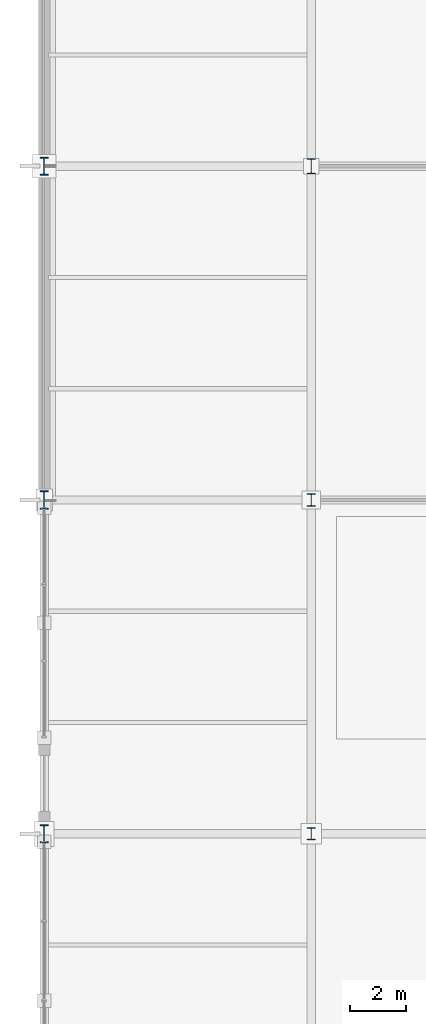
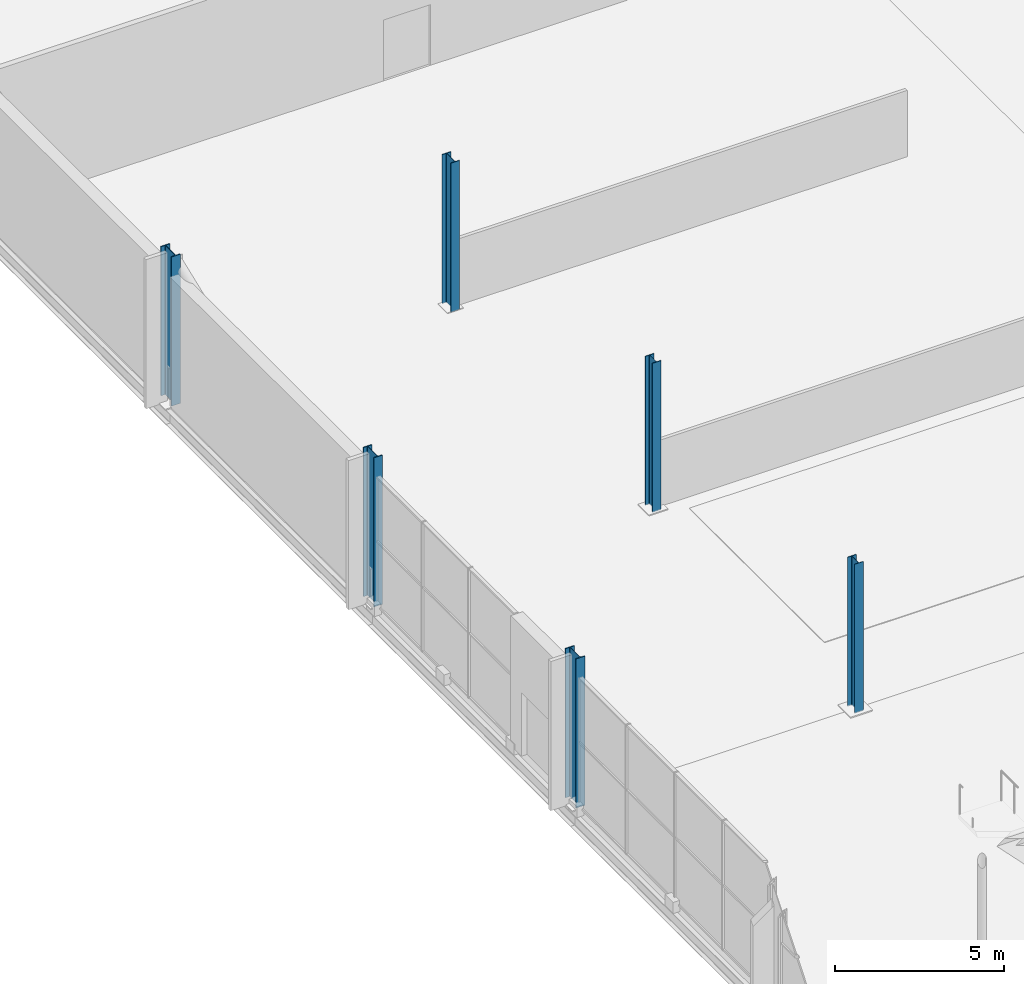
# One storey, part 9 of 196: 6 columns.
"""IFC4 building model written with IfcOpenShell, lengths in metres."""

from ifc_helpers import new_model, si_unit, direction, frame, origin, origin_2d, place, context, subcontext, project, spatial, i_section, extrude, material, material_profile, profile_set, type_object, element, save


model = new_model("IFC4")

# Units and contexts
model_context = context("Model", 3, precision=1e-05, world=origin(), true_north=direction((0.0, 1.0)))
body_context = subcontext(model_context, "Body", "Model", "MODEL_VIEW")
ifc_project = project(units=[si_unit("LENGTHUNIT", "METRE"), si_unit("AREAUNIT", "SQUARE_METRE"), si_unit("VOLUMEUNIT", "CUBIC_METRE"), si_unit("PLANEANGLEUNIT", "RADIAN"), si_unit("MASSUNIT", "GRAM", prefix="KILO")], contexts=[model_context])

# Site, building, storey
site_placement = place(None, origin())
site = spatial("IfcSite", under=ifc_project, at=site_placement, CompositionType="ELEMENT")
building_placement = place(site_placement, origin())
building = spatial("IfcBuilding", under=site, at=building_placement, Name="Merenkruunu Market Hall", CompositionType="ELEMENT")
storey_placement = place(building_placement, origin())
storey = spatial("IfcBuildingStorey", under=building, at=storey_placement, Name="L00", CompositionType="ELEMENT", Elevation=0.0)

# Columns
ifc_material_1 = material(Name="Steel S355ML", Category="steel")
ifc_material_profile_1 = material_profile(ifc_material_1, i_section(OverallWidth=0.300048828125, OverallDepth=0.64990234375, WebThickness=0.01611328125, FlangeThickness=0.031005859375, FilletRadius=0.027099609375, at=origin_2d()), Name="HEB 650")
ifc_profile_set_1 = profile_set([ifc_material_profile_1], Name="Steel S355ML")
column_type_1 = type_object("IfcColumnType", Name="Structural Column C01", PredefinedType="COLUMN", material=ifc_profile_set_1)
for number, where, z_axis, x_axis, name in (
    (1, (0.0, 63.60009765625, 0.0), (0.0, 0.0, 1.0), (1.0, 0.0, 0.0), "COL-L00-A-08"),
    (2, (0.0, 75.60009765625, 0.0), (0.0, 0.0, 1.0), (1.0, 0.0, 0.0), "COL-L00-A-09"),
    (3, (0.0, 87.60009765625, 0.0), (0.0, 0.0, 1.0), (1.0, 0.0, 0.0), "COL-L00-A-10"),
):
    element("IfcColumn", number, at=place(storey_placement, frame(where, z_axis=z_axis, x_axis=x_axis)), inside=storey, type_object=column_type_1, Name=name, PredefinedType="COLUMN", context=body_context, shape_type="SweptSolid", body=[
        extrude(i_section(OverallWidth=0.300048828125, OverallDepth=0.64990234375, WebThickness=0.01611328125, FlangeThickness=0.031005859375, FilletRadius=0.027099609375, at=origin_2d()), origin(), (0.0, 0.0, 1.0), 5.39990234375),
    ])
ifc_material_2 = material(Name="Steel S355J2", Category="steel")
ifc_material_profile_2 = material_profile(ifc_material_2, i_section(OverallWidth=0.300048828125, OverallDepth=0.5400390625, WebThickness=0.012451171875, FlangeThickness=0.02392578125, FilletRadius=0.027099609375, at=origin_2d()), Name="HEA 550")
ifc_profile_set_2 = profile_set([ifc_material_profile_2], Name="Steel S355J2")
column_type_2 = type_object("IfcColumnType", Name="Structural Column C06", PredefinedType="COLUMN", material=ifc_profile_set_2)
column_placement = place(storey_placement, frame((9.60009765625, 87.60009765625, 0.0), z_axis=(0.0, 0.0, 1.0), x_axis=(1.0, 0.0, 0.0)))
element("IfcColumn", 4, at=column_placement, inside=storey, type_object=column_type_2, Name="COL-L00-B-10", PredefinedType="COLUMN", context=body_context, shape_type="SweptSolid", body=[
    extrude(i_section(OverallWidth=0.300048828125, OverallDepth=0.5400390625, WebThickness=0.012451171875, FlangeThickness=0.02392578125, FilletRadius=0.027099609375, at=origin_2d()), origin(), (0.0, 0.0, 1.0), 5.39990234375),
])
ifc_material_profile_3 = material_profile(ifc_material_2, i_section(OverallWidth=0.300048828125, OverallDepth=0.43994140625, WebThickness=0.011474609375, FlangeThickness=0.02099609375, FilletRadius=0.027099609375, at=origin_2d()), Name="HEA 450")
ifc_profile_set_3 = profile_set([ifc_material_profile_3], Name="Steel S355J2")
column_type_3 = type_object("IfcColumnType", Name="Structural Column C07", PredefinedType="COLUMN", material=ifc_profile_set_3)
for number, where, z_axis, x_axis, name in (
    (5, (9.60009765625, 63.60009765625, 0.0), (0.0, 0.0, 1.0), (1.0, 0.0, 0.0), "COL-L00-B-08"),
    (6, (9.60009765625, 75.60009765625, 0.0), (0.0, 0.0, 1.0), (1.0, 0.0, 0.0), "COL-L00-B-09"),
):
    element("IfcColumn", number, at=place(storey_placement, frame(where, z_axis=z_axis, x_axis=x_axis)), inside=storey, type_object=column_type_3, Name=name, PredefinedType="COLUMN", context=body_context, shape_type="SweptSolid", body=[
        extrude(i_section(OverallWidth=0.300048828125, OverallDepth=0.43994140625, WebThickness=0.011474609375, FlangeThickness=0.02099609375, FilletRadius=0.027099609375, at=origin_2d()), origin(), (0.0, 0.0, 1.0), 5.39990234375),
    ])

save(model, "model.ifc")
